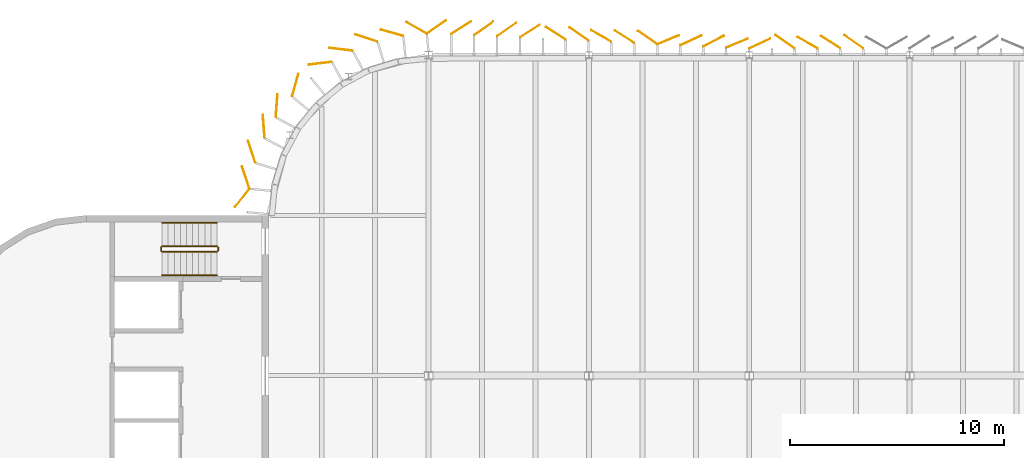
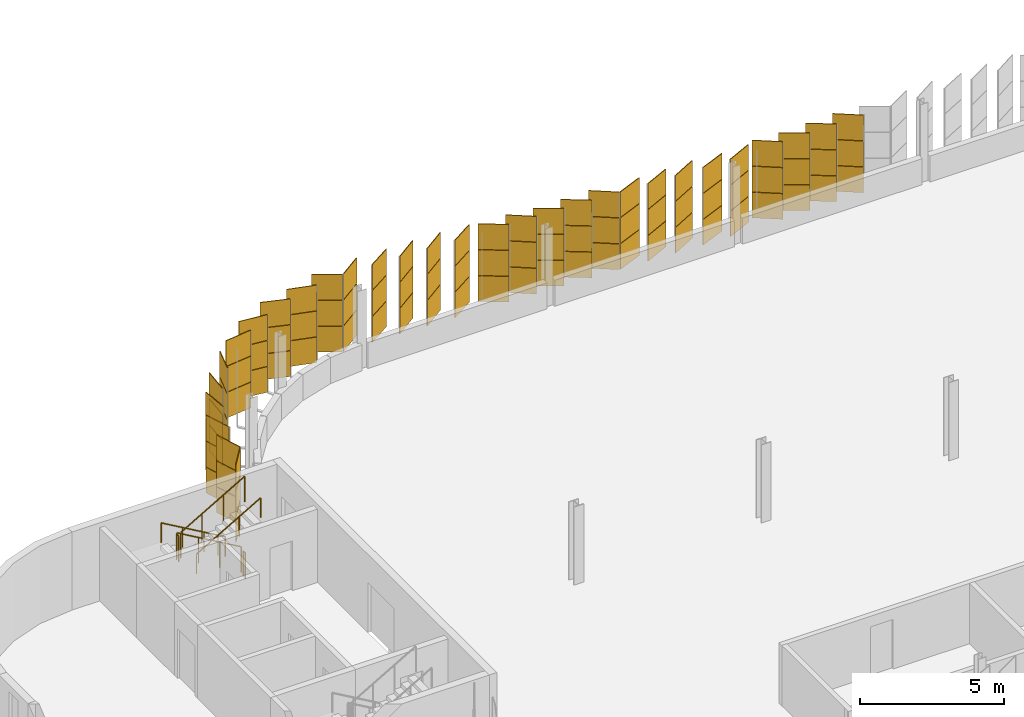
# One storey, part 211 of 214: 90 coverings, 6 railings.
"""IFC4 building model written with IfcOpenShell, lengths in metres."""

from ifc_helpers import new_model, si_unit, direction, frame, origin, origin_2d, place, context, subcontext, project, spatial, rectangle, circle, extrude, material, layer, layer_set, type_object, element, save


model = new_model("IFC4")

# Units and contexts
model_context = context("Model", 3, precision=1e-05, world=origin(), true_north=direction((0.0, 1.0)))
body_context = subcontext(model_context, "Body", "Model", "MODEL_VIEW")
ifc_project = project(units=[si_unit("LENGTHUNIT", "METRE"), si_unit("AREAUNIT", "SQUARE_METRE"), si_unit("VOLUMEUNIT", "CUBIC_METRE"), si_unit("PLANEANGLEUNIT", "RADIAN"), si_unit("MASSUNIT", "GRAM", prefix="KILO")], contexts=[model_context])

# Site, building, storey
site_placement = place(None, origin())
site = spatial("IfcSite", under=ifc_project, at=site_placement, CompositionType="ELEMENT")
building_placement = place(site_placement, origin())
building = spatial("IfcBuilding", under=site, at=building_placement, Name="Parallax Yard Mobility Hub", CompositionType="ELEMENT")
storey_placement = place(building_placement, frame((0.0, 0.0, 3.300048828125)))
storey = spatial("IfcBuildingStorey", under=building, at=storey_placement, Name="L01", CompositionType="ELEMENT", Elevation=3.300048828125)

# Coverings
ifc_material_1 = material(Name="Aluminium panel, light oak finish", Category="aluminium")
ifc_layer_1 = layer(ifc_material_1, 0.030029296875)
ifc_layer_set_1 = layer_set([ifc_layer_1], Name="Skin panel 22.5 degree turn, oak finish")
covering_type_1 = type_object("IfcCoveringType", Name="Skin panel 22.5 degree turn, oak finish", PredefinedType="CLADDING", material=ifc_layer_set_1)
for number, where, z_axis, x_axis, name in (
    (1, (44.42919921875, 143.053955078125, 1.119873046875), (0.0, 0.0, 1.0), (0.923879532511, 0.382683432365, 0.0), "Skin panel 22.5 bay 68.1 row 2 level L01"),
    (2, (44.42919921875, 143.053955078125, 2.219970703125), (0.0, 0.0, 1.0), (0.923879532511, 0.382683432365, 0.0), "Skin panel 22.5 bay 68.1 row 3 level L01"),
    (3, (41.214599609375, 143.214599609375, 1.119873046875), (0.0, 0.0, 1.0), (0.923879532511, 0.382683432365, 0.0), "Skin panel 22.5 bay 68.4 row 2 level L01"),
    (4, (41.214599609375, 143.214599609375, 2.219970703125), (0.0, 0.0, 1.0), (0.923879532511, 0.382683432365, 0.0), "Skin panel 22.5 bay 68.4 row 3 level L01"),
):
    element("IfcCovering", number, at=place(storey_placement, frame(where, z_axis=z_axis, x_axis=x_axis)), inside=storey, type_object=covering_type_1, Name=name, ObjectType="SCREEN", PredefinedType="CLADDING", context=body_context, shape_type="SweptSolid", body=[
        extrude(rectangle(XDim=1.080078125, YDim=0.030029296875, at=origin_2d()), origin(), (0.0, 0.0, 1.0), 1.080078125),
    ])
ifc_material_2 = material(Name="Aluminium panel, walnut finish", Category="aluminium")
ifc_layer_2 = layer(ifc_material_2, 0.030029296875)
ifc_layer_set_2 = layer_set([ifc_layer_2], Name="Skin panel 22.5 degree turn, walnut finish")
covering_type_2 = type_object("IfcCoveringType", Name="Skin panel 22.5 degree turn, walnut finish", PredefinedType="CLADDING", material=ifc_layer_set_2)
for number, where, z_axis, x_axis, name in (
    (5, (44.42919921875, 143.053955078125, 0.02001953125), (0.0, 0.0, 1.0), (0.923879532511, 0.382683432365, 0.0), "Skin panel 22.5 bay 68.1 row 1 level L01"),
    (6, (41.214599609375, 143.214599609375, 0.02001953125), (0.0, 0.0, 1.0), (0.923879532511, 0.382683432365, 0.0), "Skin panel 22.5 bay 68.4 row 1 level L01"),
):
    element("IfcCovering", number, at=place(storey_placement, frame(where, z_axis=z_axis, x_axis=x_axis)), inside=storey, type_object=covering_type_2, Name=name, ObjectType="SCREEN", PredefinedType="CLADDING", context=body_context, shape_type="SweptSolid", body=[
        extrude(rectangle(XDim=1.080078125, YDim=0.030029296875, at=origin_2d()), origin(), (0.0, 0.0, 1.0), 1.080078125),
    ])
ifc_layer_3 = layer(ifc_material_1, 0.030029296875)
ifc_layer_set_3 = layer_set([ifc_layer_3], Name="Skin panel 25 degree turn, oak finish")
covering_type_3 = type_object("IfcCoveringType", Name="Skin panel 25 degree turn, oak finish", PredefinedType="CLADDING", material=ifc_layer_set_3)
for number, where, z_axis, x_axis, name in (
    (7, (45.490966796875, 143.03515625, 1.119873046875), (0.0, 0.0, 1.0), (0.906307787037, 0.422618261741, 0.0), "Skin panel 25 bay 67.7 row 2 level L01"),
    (8, (45.490966796875, 143.03515625, 2.219970703125), (0.0, 0.0, 1.0), (0.906307787037, 0.422618261741, 0.0), "Skin panel 25 bay 67.7 row 3 level L01"),
    (9, (42.2763671875, 143.183349609375, 1.119873046875), (0.0, 0.0, 1.0), (0.906307787037, 0.422618261741, 0.0), "Skin panel 25 bay 68.3 row 2 level L01"),
    (10, (42.2763671875, 143.183349609375, 2.219970703125), (0.0, 0.0, 1.0), (0.906307787037, 0.422618261741, 0.0), "Skin panel 25 bay 68.3 row 3 level L01"),
):
    element("IfcCovering", number, at=place(storey_placement, frame(where, z_axis=z_axis, x_axis=x_axis)), inside=storey, type_object=covering_type_3, Name=name, ObjectType="SCREEN", PredefinedType="CLADDING", context=body_context, shape_type="SweptSolid", body=[
        extrude(rectangle(XDim=1.080078125, YDim=0.030029296875, at=origin_2d()), origin(), (0.0, 0.0, 1.0), 1.080078125),
    ])
ifc_layer_4 = layer(ifc_material_2, 0.030029296875)
ifc_layer_set_4 = layer_set([ifc_layer_4], Name="Skin panel 25 degree turn, walnut finish")
covering_type_4 = type_object("IfcCoveringType", Name="Skin panel 25 degree turn, walnut finish", PredefinedType="CLADDING", material=ifc_layer_set_4)
for number, where, z_axis, x_axis, name in (
    (11, (45.490966796875, 143.03515625, 0.02001953125), (0.0, 0.0, 1.0), (0.906307787037, 0.422618261741, 0.0), "Skin panel 25 bay 67.7 row 1 level L01"),
    (12, (42.2763671875, 143.183349609375, 0.02001953125), (0.0, 0.0, 1.0), (0.906307787037, 0.422618261741, 0.0), "Skin panel 25 bay 68.3 row 1 level L01"),
):
    element("IfcCovering", number, at=place(storey_placement, frame(where, z_axis=z_axis, x_axis=x_axis)), inside=storey, type_object=covering_type_4, Name=name, ObjectType="SCREEN", PredefinedType="CLADDING", context=body_context, shape_type="SweptSolid", body=[
        extrude(rectangle(XDim=1.080078125, YDim=0.030029296875, at=origin_2d()), origin(), (0.0, 0.0, 1.0), 1.080078125),
    ])
ifc_layer_5 = layer(ifc_material_1, 0.030029296875)
ifc_layer_set_5 = layer_set([ifc_layer_5], Name="Skin panel 27.5 degree turn, oak finish")
covering_type_5 = type_object("IfcCoveringType", Name="Skin panel 27.5 degree turn, oak finish", PredefinedType="CLADDING", material=ifc_layer_set_5)
for number, where, z_axis, x_axis, name in (
    (13, (43.337158203125, 143.151611328125, 1.119873046875), (0.0, 0.0, 1.0), (0.887010833178, 0.461748613235, 0.0), "Skin panel 27.5 bay 68.2 row 2 level L01"),
    (14, (43.337158203125, 143.151611328125, 2.219970703125), (0.0, 0.0, 1.0), (0.887010833178, 0.461748613235, 0.0), "Skin panel 27.5 bay 68.2 row 3 level L01"),
):
    element("IfcCovering", number, at=place(storey_placement, frame(where, z_axis=z_axis, x_axis=x_axis)), inside=storey, type_object=covering_type_5, Name=name, ObjectType="SCREEN", PredefinedType="CLADDING", context=body_context, shape_type="SweptSolid", body=[
        extrude(rectangle(XDim=1.080078125, YDim=0.030029296875, at=origin_2d()), origin(), (0.0, 0.0, 1.0), 1.080078125),
    ])
ifc_layer_6 = layer(ifc_material_2, 0.030029296875)
ifc_layer_set_6 = layer_set([ifc_layer_6], Name="Skin panel 27.5 degree turn, walnut finish")
covering_type_6 = type_object("IfcCoveringType", Name="Skin panel 27.5 degree turn, walnut finish", PredefinedType="CLADDING", material=ifc_layer_set_6)
covering_placement = place(storey_placement, frame((43.337158203125, 143.151611328125, 0.02001953125), z_axis=(0.0, 0.0, 1.0), x_axis=(0.887010833178, 0.461748613235, 0.0)))
element("IfcCovering", 15, at=covering_placement, inside=storey, type_object=covering_type_6, Name="Skin panel 27.5 bay 68.2 row 1 level L01", ObjectType="SCREEN", PredefinedType="CLADDING", context=body_context, shape_type="SweptSolid", body=[
    extrude(rectangle(XDim=1.080078125, YDim=0.030029296875, at=origin_2d()), origin(), (0.0, 0.0, 1.0), 1.080078125),
])
ifc_layer_7 = layer(ifc_material_1, 0.030029296875)
ifc_layer_set_7 = layer_set([ifc_layer_7], Name="Skin panel 30 degree turn, oak finish")
covering_type_7 = type_object("IfcCoveringType", Name="Skin panel 30 degree turn, oak finish", PredefinedType="CLADDING", material=ifc_layer_set_7)
for number, where, z_axis, x_axis, name in (
    (16, (47.719482421875, 143.078125, 1.119873046875), (0.0, 0.0, 1.0), (-0.866025403784, 0.5, 0.0), "Skin panel 30 bay 67.5 row 2 level L01"),
    (17, (47.719482421875, 143.078125, 2.219970703125), (0.0, 0.0, 1.0), (-0.866025403784, 0.5, 0.0), "Skin panel 30 bay 67.5 row 3 level L01"),
    (18, (38.07568359375, 143.38720703125, 1.119873046875), (0.0, 0.0, 1.0), (-0.866025403784, 0.5, 0.0), "Skin panel 30 bay 68.7 row 2 level L01"),
    (19, (38.07568359375, 143.38720703125, 2.219970703125), (0.0, 0.0, 1.0), (-0.866025403784, 0.5, 0.0), "Skin panel 30 bay 68.7 row 3 level L01"),
):
    element("IfcCovering", number, at=place(storey_placement, frame(where, z_axis=z_axis, x_axis=x_axis)), inside=storey, type_object=covering_type_7, Name=name, ObjectType="SCREEN", PredefinedType="CLADDING", context=body_context, shape_type="SweptSolid", body=[
        extrude(rectangle(XDim=1.080078125, YDim=0.030029296875, at=origin_2d()), origin(), (0.0, 0.0, 1.0), 1.080078125),
    ])
ifc_layer_8 = layer(ifc_material_2, 0.030029296875)
ifc_layer_set_8 = layer_set([ifc_layer_8], Name="Skin panel 30 degree turn, walnut finish")
covering_type_8 = type_object("IfcCoveringType", Name="Skin panel 30 degree turn, walnut finish", PredefinedType="CLADDING", material=ifc_layer_set_8)
for number, where, z_axis, x_axis, name in (
    (20, (47.719482421875, 143.078125, 0.02001953125), (0.0, 0.0, 1.0), (-0.866025403784, 0.5, 0.0), "Skin panel 30 bay 67.5 row 1 level L01"),
    (21, (38.07568359375, 143.38720703125, 0.02001953125), (0.0, 0.0, 1.0), (-0.866025403784, 0.5, 0.0), "Skin panel 30 bay 68.7 row 1 level L01"),
):
    element("IfcCovering", number, at=place(storey_placement, frame(where, z_axis=z_axis, x_axis=x_axis)), inside=storey, type_object=covering_type_8, Name=name, ObjectType="SCREEN", PredefinedType="CLADDING", context=body_context, shape_type="SweptSolid", body=[
        extrude(rectangle(XDim=1.080078125, YDim=0.030029296875, at=origin_2d()), origin(), (0.0, 0.0, 1.0), 1.080078125),
    ])
ifc_layer_9 = layer(ifc_material_1, 0.030029296875)
ifc_layer_set_9 = layer_set([ifc_layer_9], Name="Skin panel 32.5 degree turn, oak finish")
covering_type_9 = type_object("IfcCoveringType", Name="Skin panel 32.5 degree turn, oak finish", PredefinedType="CLADDING", material=ifc_layer_set_9)
for number, where, z_axis, x_axis, name in (
    (22, (48.8037109375, 143.098876953125, 1.119873046875), (0.0, 0.0, 1.0), (-0.843391445813, 0.537299608347, 0.0), "Skin panel 32.5 bay 67.4 row 2 level L01"),
    (23, (48.8037109375, 143.098876953125, 2.219970703125), (0.0, 0.0, 1.0), (-0.843391445813, 0.537299608347, 0.0), "Skin panel 32.5 bay 67.4 row 3 level L01"),
    (24, (39.159912109375, 143.354248046875, 1.119873046875), (0.0, 0.0, 1.0), (-0.843391445813, 0.537299608347, 0.0), "Skin panel 32.5 bay 68.6 row 2 level L01"),
    (25, (39.159912109375, 143.354248046875, 2.219970703125), (0.0, 0.0, 1.0), (-0.843391445813, 0.537299608347, 0.0), "Skin panel 32.5 bay 68.6 row 3 level L01"),
    (26, (35.945068359375, 143.514892578125, 1.119873046875), (0.0, 0.0, 1.0), (-0.843391445813, 0.537299608347, 0.0), "Skin panel 32.5 bay 69.2 row 2 level L01"),
    (27, (35.945068359375, 143.514892578125, 2.219970703125), (0.0, 0.0, 1.0), (-0.843391445813, 0.537299608347, 0.0), "Skin panel 32.5 bay 69.2 row 3 level L01"),
    (28, (34.740478515625, 143.622314453125, 1.119873046875), (0.0, 0.0, 1.0), (0.843391445813, 0.537299608347, 0.0), "Skin panel 32.5 bay 69.3 row 2 level L01"),
    (29, (34.740478515625, 143.622314453125, 2.219970703125), (0.0, 0.0, 1.0), (0.843391445813, 0.537299608347, 0.0), "Skin panel 32.5 bay 69.3 row 3 level L01"),
    (30, (31.52587890625, 143.782958984375, 1.119873046875), (0.0, 0.0, 1.0), (0.843391445813, 0.537299608347, 0.0), "Skin panel 32.5 bay 69.6 row 2 level L01"),
    (31, (31.52587890625, 143.782958984375, 2.219970703125), (0.0, 0.0, 1.0), (0.843391445813, 0.537299608347, 0.0), "Skin panel 32.5 bay 69.6 row 3 level L01"),
    (32, (28.2822265625, 143.538330078125, 1.119873046875), (0.0, 0.0, 1.0), (-0.963045136708, 0.269340053953, 0.0), "Skin panel 32.5 bay 70.2 row 2 level L01"),
    (33, (28.2822265625, 143.538330078125, 2.219970703125), (0.0, 0.0, 1.0), (-0.963045136708, 0.269340053953, 0.0), "Skin panel 32.5 bay 70.2 row 3 level L01"),
    (34, (24.923095703125, 142.112060546875, 1.119873046875), (0.0, 0.0, 1.0), (-0.992809667009, -0.119703655305, 0.0), "Skin panel 32.5 bay 70.5 row 2 level L01"),
    (35, (24.923095703125, 142.112060546875, 2.219970703125), (0.0, 0.0, 1.0), (-0.992809667009, -0.119703655305, 0.0), "Skin panel 32.5 bay 70.5 row 3 level L01"),
    (36, (22.2890625, 139.162841796875, 1.119873046875), (0.0, 0.0, 1.0), (-0.076283974504, 0.997086132304, 0.0), "Skin panel 32.5 bay 70.8 row 2 level L01"),
    (37, (22.2890625, 139.162841796875, 2.219970703125), (0.0, 0.0, 1.0), (-0.076283974504, 0.997086132304, 0.0), "Skin panel 32.5 bay 70.8 row 3 level L01"),
    (38, (21.2744140625, 135.80859375, 1.119873046875), (0.0, 0.0, 1.0), (-0.617379181571, -0.786665714369, 0.0), "Skin panel 32.5 bay 70.11 row 2 level L01"),
    (39, (21.2744140625, 135.80859375, 2.219970703125), (0.0, 0.0, 1.0), (-0.617379181571, -0.786665714369, 0.0), "Skin panel 32.5 bay 70.11 row 3 level L01"),
):
    element("IfcCovering", number, at=place(storey_placement, frame(where, z_axis=z_axis, x_axis=x_axis)), inside=storey, type_object=covering_type_9, Name=name, ObjectType="SCREEN", PredefinedType="CLADDING", context=body_context, shape_type="SweptSolid", body=[
        extrude(rectangle(XDim=1.080078125, YDim=0.030029296875, at=origin_2d()), origin(), (0.0, 0.0, 1.0), 1.080078125),
    ])
ifc_layer_10 = layer(ifc_material_2, 0.030029296875)
ifc_layer_set_10 = layer_set([ifc_layer_10], Name="Skin panel 32.5 degree turn, walnut finish")
covering_type_10 = type_object("IfcCoveringType", Name="Skin panel 32.5 degree turn, walnut finish", PredefinedType="CLADDING", material=ifc_layer_set_10)
for number, where, z_axis, x_axis, name in (
    (40, (48.8037109375, 143.098876953125, 0.02001953125), (0.0, 0.0, 1.0), (-0.843391445813, 0.537299608347, 0.0), "Skin panel 32.5 bay 67.4 row 1 level L01"),
    (41, (39.159912109375, 143.354248046875, 0.02001953125), (0.0, 0.0, 1.0), (-0.843391445813, 0.537299608347, 0.0), "Skin panel 32.5 bay 68.6 row 1 level L01"),
    (42, (35.945068359375, 143.514892578125, 0.02001953125), (0.0, 0.0, 1.0), (-0.843391445813, 0.537299608347, 0.0), "Skin panel 32.5 bay 69.2 row 1 level L01"),
    (43, (34.740478515625, 143.622314453125, 0.02001953125), (0.0, 0.0, 1.0), (0.843391445813, 0.537299608347, 0.0), "Skin panel 32.5 bay 69.3 row 1 level L01"),
    (44, (31.52587890625, 143.782958984375, 0.02001953125), (0.0, 0.0, 1.0), (0.843391445813, 0.537299608347, 0.0), "Skin panel 32.5 bay 69.6 row 1 level L01"),
    (45, (28.2822265625, 143.538330078125, 0.02001953125), (0.0, 0.0, 1.0), (-0.963045136708, 0.269340053953, 0.0), "Skin panel 32.5 bay 70.2 row 1 level L01"),
    (46, (24.923095703125, 142.112060546875, 0.02001953125), (0.0, 0.0, 1.0), (-0.992809667009, -0.119703655305, 0.0), "Skin panel 32.5 bay 70.5 row 1 level L01"),
    (47, (22.2890625, 139.162841796875, 0.02001953125), (0.0, 0.0, 1.0), (-0.076283974504, 0.997086132304, 0.0), "Skin panel 32.5 bay 70.8 row 1 level L01"),
    (48, (21.2744140625, 135.80859375, 0.02001953125), (0.0, 0.0, 1.0), (-0.617379181571, -0.786665714369, 0.0), "Skin panel 32.5 bay 70.11 row 1 level L01"),
):
    element("IfcCovering", number, at=place(storey_placement, frame(where, z_axis=z_axis, x_axis=x_axis)), inside=storey, type_object=covering_type_10, Name=name, ObjectType="SCREEN", PredefinedType="CLADDING", context=body_context, shape_type="SweptSolid", body=[
        extrude(rectangle(XDim=1.080078125, YDim=0.030029296875, at=origin_2d()), origin(), (0.0, 0.0, 1.0), 1.080078125),
    ])
ifc_layer_11 = layer(ifc_material_1, 0.030029296875)
ifc_layer_set_11 = layer_set([ifc_layer_11], Name="Skin panel 35 degree turn, oak finish")
covering_type_11 = type_object("IfcCoveringType", Name="Skin panel 35 degree turn, oak finish", PredefinedType="CLADDING", material=ifc_layer_set_11)
for number, where, z_axis, x_axis, name in (
    (49, (49.888916015625, 143.119140625, 1.119873046875), (0.0, 0.0, 1.0), (-0.819152044289, 0.573576436351, 0.0), "Skin panel 35 bay 67.3 row 2 level L01"),
    (50, (49.888916015625, 143.119140625, 2.219970703125), (0.0, 0.0, 1.0), (-0.819152044289, 0.573576436351, 0.0), "Skin panel 35 bay 67.3 row 3 level L01"),
    (51, (46.674072265625, 143.119140625, 1.119873046875), (0.0, 0.0, 1.0), (-0.819152044289, 0.573576436351, 0.0), "Skin panel 35 bay 67.6 row 2 level L01"),
    (52, (46.674072265625, 143.119140625, 2.219970703125), (0.0, 0.0, 1.0), (-0.819152044289, 0.573576436351, 0.0), "Skin panel 35 bay 67.6 row 3 level L01"),
    (53, (40.244873046875, 143.32080078125, 1.119873046875), (0.0, 0.0, 1.0), (-0.819152044289, 0.573576436351, 0.0), "Skin panel 35 bay 68.5 row 2 level L01"),
    (54, (40.244873046875, 143.32080078125, 2.219970703125), (0.0, 0.0, 1.0), (-0.819152044289, 0.573576436351, 0.0), "Skin panel 35 bay 68.5 row 3 level L01"),
    (55, (37.030029296875, 143.481689453125, 1.119873046875), (0.0, 0.0, 1.0), (-0.819152044289, 0.573576436351, 0.0), "Skin panel 35 bay 69.1 row 2 level L01"),
    (56, (37.030029296875, 143.481689453125, 2.219970703125), (0.0, 0.0, 1.0), (-0.819152044289, 0.573576436351, 0.0), "Skin panel 35 bay 69.1 row 3 level L01"),
    (57, (33.655517578125, 143.69580078125, 1.119873046875), (0.0, 0.0, 1.0), (0.819152044289, 0.573576436351, 0.0), "Skin panel 35 bay 69.4 row 2 level L01"),
    (58, (33.655517578125, 143.69580078125, 2.219970703125), (0.0, 0.0, 1.0), (0.819152044289, 0.573576436351, 0.0), "Skin panel 35 bay 69.4 row 3 level L01"),
    (59, (32.583740234375, 143.74951171875, 1.119873046875), (0.0, 0.0, 1.0), (0.819152044289, 0.573576436351, 0.0), "Skin panel 35 bay 69.5 row 2 level L01"),
    (60, (32.583740234375, 143.74951171875, 2.219970703125), (0.0, 0.0, 1.0), (0.819152044289, 0.573576436351, 0.0), "Skin panel 35 bay 69.5 row 3 level L01"),
    (61, (30.3720703125, 143.815673828125, 1.119873046875), (0.0, 0.0, 1.0), (0.819152044289, 0.573576436351, 0.0), "Skin panel 35 bay 69.7 row 2 level L01"),
    (62, (30.3720703125, 143.815673828125, 2.219970703125), (0.0, 0.0, 1.0), (0.819152044289, 0.573576436351, 0.0), "Skin panel 35 bay 69.7 row 3 level L01"),
    (63, (29.431640625, 143.76953125, 1.119873046875), (0.0, 0.0, 1.0), (-0.87142792535, 0.490523568159, 0.0), "Skin panel 35 bay 70.1 row 2 level L01"),
    (64, (29.431640625, 143.76953125, 2.219970703125), (0.0, 0.0, 1.0), (-0.87142792535, 0.490523568159, 0.0), "Skin panel 35 bay 70.1 row 3 level L01"),
    (65, (27.0830078125, 143.293212890625, 1.119873046875), (0.0, 0.0, 1.0), (-0.950380082985, 0.311091140771, 0.0), "Skin panel 35 bay 70.3 row 2 level L01"),
    (66, (27.0830078125, 143.293212890625, 2.219970703125), (0.0, 0.0, 1.0), (-0.950380082985, 0.311091140771, 0.0), "Skin panel 35 bay 70.3 row 3 level L01"),
    (67, (25.896484375, 142.765380859375, 1.119873046875), (0.0, 0.0, 1.0), (-0.992809667009, 0.119703655305, 0.0), "Skin panel 35 bay 70.4 row 2 level L01"),
    (68, (25.896484375, 142.765380859375, 2.219970703125), (0.0, 0.0, 1.0), (-0.992809667009, 0.119703655305, 0.0), "Skin panel 35 bay 70.4 row 3 level L01"),
    (69, (23.7626953125, 141.0947265625, 1.119873046875), (0.0, 0.0, 1.0), (0.269340053953, 0.963045136708, 0.0), "Skin panel 35 bay 70.6 row 2 level L01"),
    (70, (23.7626953125, 141.0947265625, 2.219970703125), (0.0, 0.0, 1.0), (0.269340053953, 0.963045136708, 0.0), "Skin panel 35 bay 70.6 row 3 level L01"),
    (71, (22.894287109375, 140.13623046875, 1.119873046875), (0.0, 0.0, 1.0), (0.076283974504, 0.997086132304, 0.0), "Skin panel 35 bay 70.7 row 2 level L01"),
    (72, (22.894287109375, 140.13623046875, 2.219970703125), (0.0, 0.0, 1.0), (0.076283974504, 0.997086132304, 0.0), "Skin panel 35 bay 70.7 row 3 level L01"),
    (73, (21.7255859375, 137.97900390625, 1.119873046875), (0.0, 0.0, 1.0), (-0.311091140771, 0.950380082985, 0.0), "Skin panel 35 bay 70.9 row 2 level L01"),
    (74, (21.7255859375, 137.97900390625, 2.219970703125), (0.0, 0.0, 1.0), (-0.311091140771, 0.950380082985, 0.0), "Skin panel 35 bay 70.9 row 3 level L01"),
    (75, (21.44482421875, 136.77490234375, 1.119873046875), (0.0, 0.0, 1.0), (-0.311091140771, 0.950380082985, 0.0), "Skin panel 35 bay 70.10 row 2 level L01"),
    (76, (21.44482421875, 136.77490234375, 2.219970703125), (0.0, 0.0, 1.0), (-0.311091140771, 0.950380082985, 0.0), "Skin panel 35 bay 70.10 row 3 level L01"),
):
    element("IfcCovering", number, at=place(storey_placement, frame(where, z_axis=z_axis, x_axis=x_axis)), inside=storey, type_object=covering_type_11, Name=name, ObjectType="SCREEN", PredefinedType="CLADDING", context=body_context, shape_type="SweptSolid", body=[
        extrude(rectangle(XDim=1.080078125, YDim=0.030029296875, at=origin_2d()), origin(), (0.0, 0.0, 1.0), 1.080078125),
    ])
ifc_layer_12 = layer(ifc_material_2, 0.030029296875)
ifc_layer_set_12 = layer_set([ifc_layer_12], Name="Skin panel 35 degree turn, walnut finish")
covering_type_12 = type_object("IfcCoveringType", Name="Skin panel 35 degree turn, walnut finish", PredefinedType="CLADDING", material=ifc_layer_set_12)
for number, where, z_axis, x_axis, name in (
    (77, (49.888916015625, 143.119140625, 0.02001953125), (0.0, 0.0, 1.0), (-0.819152044289, 0.573576436351, 0.0), "Skin panel 35 bay 67.3 row 1 level L01"),
    (78, (46.674072265625, 143.119140625, 0.02001953125), (0.0, 0.0, 1.0), (-0.819152044289, 0.573576436351, 0.0), "Skin panel 35 bay 67.6 row 1 level L01"),
    (79, (40.244873046875, 143.32080078125, 0.02001953125), (0.0, 0.0, 1.0), (-0.819152044289, 0.573576436351, 0.0), "Skin panel 35 bay 68.5 row 1 level L01"),
    (80, (37.030029296875, 143.481689453125, 0.02001953125), (0.0, 0.0, 1.0), (-0.819152044289, 0.573576436351, 0.0), "Skin panel 35 bay 69.1 row 1 level L01"),
    (81, (33.655517578125, 143.69580078125, 0.02001953125), (0.0, 0.0, 1.0), (0.819152044289, 0.573576436351, 0.0), "Skin panel 35 bay 69.4 row 1 level L01"),
    (82, (32.583740234375, 143.74951171875, 0.02001953125), (0.0, 0.0, 1.0), (0.819152044289, 0.573576436351, 0.0), "Skin panel 35 bay 69.5 row 1 level L01"),
    (83, (30.3720703125, 143.815673828125, 0.02001953125), (0.0, 0.0, 1.0), (0.819152044289, 0.573576436351, 0.0), "Skin panel 35 bay 69.7 row 1 level L01"),
    (84, (29.431640625, 143.76953125, 0.02001953125), (0.0, 0.0, 1.0), (-0.87142792535, 0.490523568159, 0.0), "Skin panel 35 bay 70.1 row 1 level L01"),
    (85, (27.0830078125, 143.293212890625, 0.02001953125), (0.0, 0.0, 1.0), (-0.950380082985, 0.311091140771, 0.0), "Skin panel 35 bay 70.3 row 1 level L01"),
    (86, (25.896484375, 142.765380859375, 0.02001953125), (0.0, 0.0, 1.0), (-0.992809667009, 0.119703655305, 0.0), "Skin panel 35 bay 70.4 row 1 level L01"),
    (87, (23.7626953125, 141.0947265625, 0.02001953125), (0.0, 0.0, 1.0), (0.269340053953, 0.963045136708, 0.0), "Skin panel 35 bay 70.6 row 1 level L01"),
    (88, (22.894287109375, 140.13623046875, 0.02001953125), (0.0, 0.0, 1.0), (0.076283974504, 0.997086132304, 0.0), "Skin panel 35 bay 70.7 row 1 level L01"),
    (89, (21.7255859375, 137.97900390625, 0.02001953125), (0.0, 0.0, 1.0), (-0.311091140771, 0.950380082985, 0.0), "Skin panel 35 bay 70.9 row 1 level L01"),
    (90, (21.44482421875, 136.77490234375, 0.02001953125), (0.0, 0.0, 1.0), (-0.311091140771, 0.950380082985, 0.0), "Skin panel 35 bay 70.10 row 1 level L01"),
):
    element("IfcCovering", number, at=place(storey_placement, frame(where, z_axis=z_axis, x_axis=x_axis)), inside=storey, type_object=covering_type_12, Name=name, ObjectType="SCREEN", PredefinedType="CLADDING", context=body_context, shape_type="SweptSolid", body=[
        extrude(rectangle(XDim=1.080078125, YDim=0.030029296875, at=origin_2d()), origin(), (0.0, 0.0, 1.0), 1.080078125),
    ])

# Railings
ifc_material_3 = material(Name="Steel ASTM A36", Category="steel")
railing_type_1 = type_object("IfcRailingType", Name="Stair guard 1100", PredefinedType="GUARDRAIL", material=ifc_material_3)
railing_1_placement = place(storey_placement, frame((20.10009765625, 133.550048828125, 0.1650390625)))
element("IfcRailing", 91, at=railing_1_placement, inside=storey, type_object=railing_type_1, Name="L01 ST2 stair guard 1", PredefinedType="GUARDRAIL", context=body_context, shape_type="SweptSolid", body=[
    extrude(circle(Radius=0.02392578125, at=origin_2d()), frame((0.0, 0.0, 1.076171875), z_axis=(-0.865461999751, 0.0, 0.500974577186), x_axis=(0.0, -1.0, 0.0)), (0.0, 0.0, 1.0), 2.9638671875),
    extrude(circle(Radius=0.02099609375, at=origin_2d()), origin(), (0.0, 0.0, 1.0), 1.052001953125),
    extrude(circle(Radius=0.02099609375, at=origin_2d()), frame((-0.85498046875, 0.0, 0.494873046875)), (0.0, 0.0, 1.0), 1.052001953125),
    extrude(circle(Radius=0.02099609375, at=origin_2d()), frame((-1.710205078125, 0.0, 0.989990234375)), (0.0, 0.0, 1.0), 1.052001953125),
    extrude(circle(Radius=0.02099609375, at=origin_2d()), frame((-2.565185546875, 0.0, 1.48486328125)), (0.0, 0.0, 1.0), 1.052001953125),
])
railing_2_placement = place(storey_placement, frame((17.485107421875, 133.5, 1.64990234375)))
element("IfcRailing", 92, at=railing_2_placement, inside=storey, type_object=railing_type_1, Name="L01 ST2 stair guard 2", PredefinedType="GUARDRAIL", context=body_context, shape_type="SweptSolid", body=[
    extrude(circle(Radius=0.02392578125, at=origin_2d()), frame((0.0, 0.0, 1.076171875), z_axis=(0.0, -1.0, 0.0), x_axis=(1.0, 0.0, 0.0)), (0.0, 0.0, 1.0), 0.14990234375),
    extrude(circle(Radius=0.02099609375, at=origin_2d()), origin(), (0.0, 0.0, 1.0), 1.052001953125),
    extrude(circle(Radius=0.02099609375, at=origin_2d()), frame((0.0, -0.14990234375, 0.0)), (0.0, 0.0, 1.0), 1.052001953125),
])
railing_3_placement = place(storey_placement, frame((17.534912109375, 133.300048828125, 1.81494140625)))
element("IfcRailing", 93, at=railing_3_placement, inside=storey, type_object=railing_type_1, Name="L01 ST2 stair guard 3", PredefinedType="GUARDRAIL", context=body_context, shape_type="SweptSolid", body=[
    extrude(circle(Radius=0.02392578125, at=origin_2d()), frame((0.0, 0.0, 1.076171875), z_axis=(0.865426285481, 0.0, 0.501036270542), x_axis=(0.0, 1.0, 0.0)), (0.0, 0.0, 1.0), 2.964111328125),
    extrude(circle(Radius=0.02099609375, at=origin_2d()), origin(), (0.0, 0.0, 1.0), 1.052001953125),
    extrude(circle(Radius=0.02099609375, at=origin_2d()), frame((0.85498046875, 0.0, 0.4951171875)), (0.0, 0.0, 1.0), 1.052001953125),
    extrude(circle(Radius=0.02099609375, at=origin_2d()), frame((1.710205078125, 0.0, 0.989990234375)), (0.0, 0.0, 1.0), 1.052001953125),
    extrude(circle(Radius=0.02099609375, at=origin_2d()), frame((2.565185546875, 0.0, 1.485107421875)), (0.0, 0.0, 1.0), 1.052001953125),
])
railing_4_placement = place(storey_placement, frame((20.14990234375, 133.5, 0.0)))
element("IfcRailing", 94, at=railing_4_placement, inside=storey, type_object=railing_type_1, Name="L01 ST2 stair guard 4", PredefinedType="GUARDRAIL", context=body_context, shape_type="SweptSolid", body=[
    extrude(circle(Radius=0.02392578125, at=origin_2d()), frame((0.0, 0.0, 1.076171875), z_axis=(0.0, -1.0, 0.0), x_axis=(1.0, 0.0, 0.0)), (0.0, 0.0, 1.0), 0.14990234375),
    extrude(circle(Radius=0.02099609375, at=origin_2d()), origin(), (0.0, 0.0, 1.0), 1.052001953125),
    extrude(circle(Radius=0.02099609375, at=origin_2d()), frame((0.0, -0.14990234375, 0.0)), (0.0, 0.0, 1.0), 1.052001953125),
])
railing_type_2 = type_object("IfcRailingType", Name="Stair handrail", PredefinedType="HANDRAIL", material=ifc_material_3)
railing_5_placement = place(storey_placement, frame((20.10009765625, 134.64990234375, 0.1650390625)))
element("IfcRailing", 95, at=railing_5_placement, inside=storey, type_object=railing_type_2, Name="L01 ST2 stair handrail 1", PredefinedType="HANDRAIL", context=body_context, shape_type="SweptSolid", body=[
    extrude(circle(Radius=0.02392578125, at=origin_2d()), frame((0.0, 0.0, 0.8310546875), z_axis=(-0.865461999751, 0.0, 0.500974577186), x_axis=(0.0, -1.0, 0.0)), (0.0, 0.0, 1.0), 2.9638671875),
    extrude(circle(Radius=0.02099609375, at=origin_2d()), origin(), (0.0, 0.0, 1.0), 0.806884765625),
    extrude(circle(Radius=0.02099609375, at=origin_2d()), frame((-0.85498046875, 0.0, 0.494873046875)), (0.0, 0.0, 1.0), 0.806884765625),
    extrude(circle(Radius=0.02099609375, at=origin_2d()), frame((-1.710205078125, 0.0, 0.989990234375)), (0.0, 0.0, 1.0), 0.806884765625),
    extrude(circle(Radius=0.02099609375, at=origin_2d()), frame((-2.565185546875, 0.0, 1.48486328125)), (0.0, 0.0, 1.0), 0.806884765625),
])
railing_6_placement = place(storey_placement, frame((17.534912109375, 132.199951171875, 1.81494140625)))
element("IfcRailing", 96, at=railing_6_placement, inside=storey, type_object=railing_type_2, Name="L01 ST2 stair handrail 2", PredefinedType="HANDRAIL", context=body_context, shape_type="SweptSolid", body=[
    extrude(circle(Radius=0.02392578125, at=origin_2d()), frame((0.0, 0.0, 0.8310546875), z_axis=(0.865426285481, 0.0, 0.501036270542), x_axis=(0.0, 1.0, 0.0)), (0.0, 0.0, 1.0), 2.964111328125),
    extrude(circle(Radius=0.02099609375, at=origin_2d()), origin(), (0.0, 0.0, 1.0), 0.806884765625),
    extrude(circle(Radius=0.02099609375, at=origin_2d()), frame((0.85498046875, 0.0, 0.4951171875)), (0.0, 0.0, 1.0), 0.806884765625),
    extrude(circle(Radius=0.02099609375, at=origin_2d()), frame((1.710205078125, 0.0, 0.989990234375)), (0.0, 0.0, 1.0), 0.806884765625),
    extrude(circle(Radius=0.02099609375, at=origin_2d()), frame((2.565185546875, 0.0, 1.485107421875)), (0.0, 0.0, 1.0), 0.806884765625),
])

save(model, "model.ifc")
